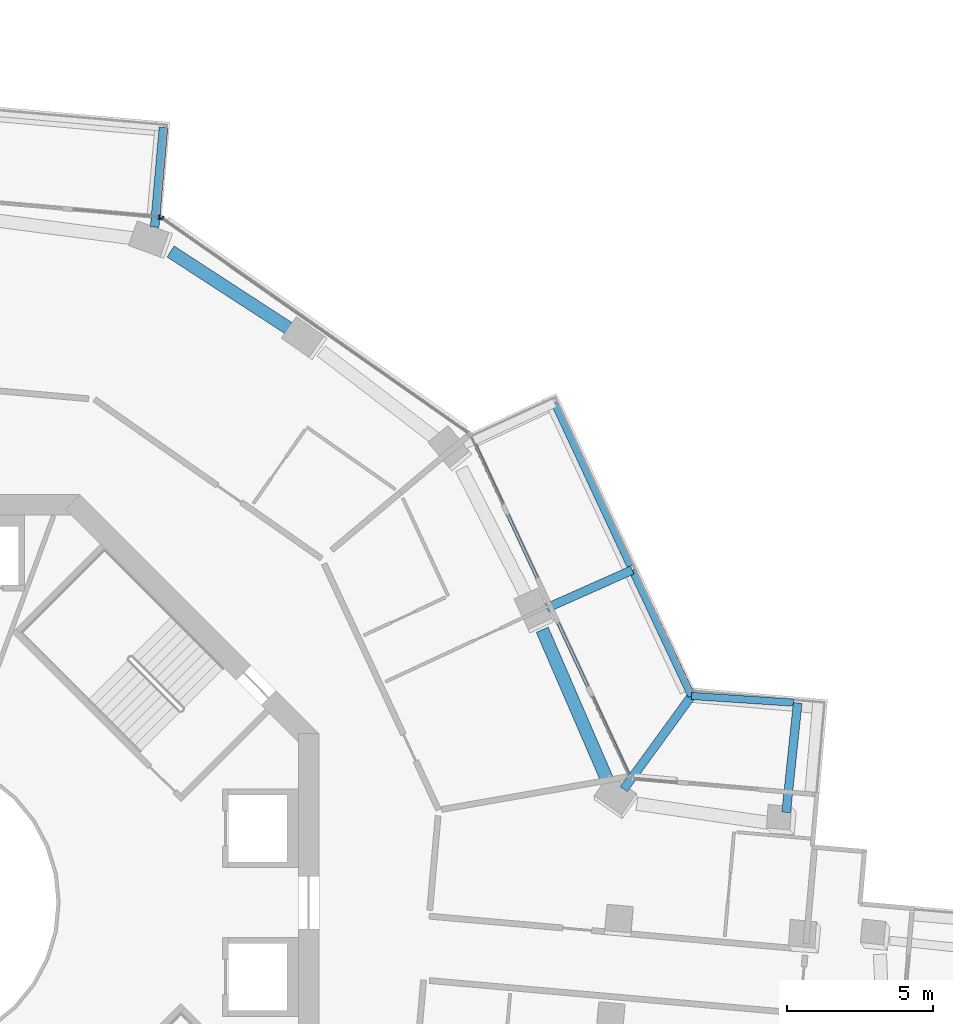
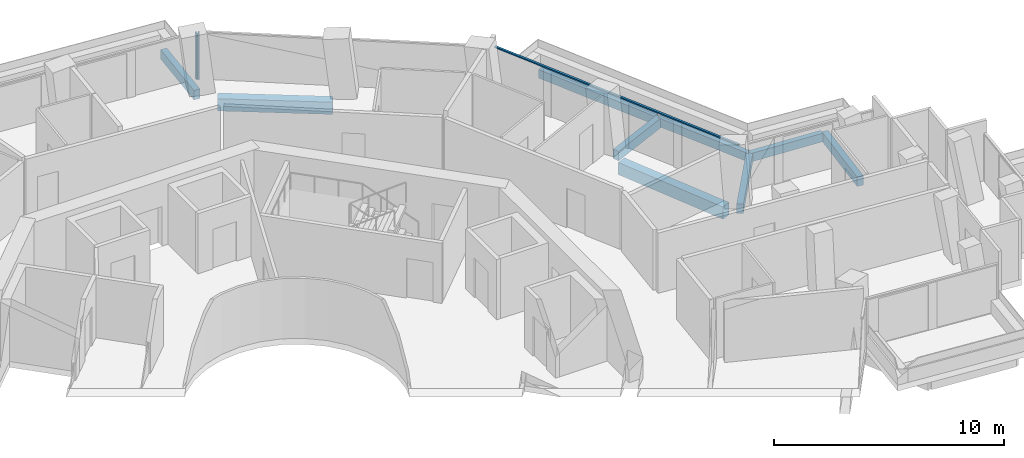
# One storey, part 9 of 23: 9 beams, 3 members, 3 elements without a shape of their own.
"""IFC4 building model written with IfcOpenShell, lengths in metres."""

from ifc_helpers import new_model, si_unit, direction, frame, origin, origin_2d, place, context, subcontext, project, spatial, rectangle, extrude, material, layer, layer_set, material_profile, profile_set, type_object, element, aggregate, save


model = new_model("IFC4")

# Units and contexts
model_context = context("Model", 3, precision=1e-05, world=origin(), true_north=direction((0.0, 1.0)))
body_context = subcontext(model_context, "Body", "Model", "MODEL_VIEW")
ifc_project = project(units=[si_unit("LENGTHUNIT", "METRE"), si_unit("AREAUNIT", "SQUARE_METRE"), si_unit("VOLUMEUNIT", "CUBIC_METRE"), si_unit("PLANEANGLEUNIT", "RADIAN"), si_unit("MASSUNIT", "GRAM", prefix="KILO")], contexts=[model_context])

# Site, building, storey
site_placement = place(None, origin())
site = spatial("IfcSite", under=ifc_project, at=site_placement, CompositionType="ELEMENT")
building_placement = place(site_placement, origin())
building = spatial("IfcBuilding", under=site, at=building_placement, Name="Verdalira Terraces Hotel", CompositionType="ELEMENT")
storey_placement = place(building_placement, frame((0.0, 0.0, 136.5)))
storey = spatial("IfcBuildingStorey", under=building, at=storey_placement, Name="L32", CompositionType="ELEMENT", Elevation=136.5)

# Beams
ifc_material_1 = material(Name="Concrete C40", Category="concrete")
ifc_material_profile_1 = material_profile(ifc_material_1, rectangle(XDim=0.300049, YDim=0.5, at=origin_2d()), Name="RC 300X500")
ifc_profile_set_1 = profile_set([ifc_material_profile_1], Name="Concrete C40")
beam_type_1 = type_object("IfcBeamType", Name="Balcony cantilever beam RC 300X500 C40", PredefinedType="BEAM", material=ifc_profile_set_1)
beam_1_placement = place(storey_placement, frame((30.034424, 3.098633, -0.560059), z_axis=(0.104503005, 0.994524571, 0.0), x_axis=(-0.994524571, 0.104503005, 0.0)))
element("IfcBeam", 1, at=beam_1_placement, inside=storey, type_object=beam_type_1, Name="Balcony cantilever beam R38-1", PredefinedType="BEAM", context=body_context, shape_type="SweptSolid", body=[
    extrude(rectangle(XDim=0.300049, YDim=0.5, at=origin_2d()), origin(), (0.0, 0.0, 1.0), 3.775391),
])
beam_2_placement = place(storey_placement, frame((24.461426, 3.896484, -0.560059), z_axis=(0.587767385, 0.809029976, 0.0), x_axis=(-0.809029976, 0.587767385, 0.0)))
element("IfcBeam", 2, at=beam_2_placement, inside=storey, type_object=beam_type_1, Name="Balcony cantilever beam R38-2", PredefinedType="BEAM", context=body_context, shape_type="SweptSolid", body=[
    extrude(rectangle(XDim=0.300049, YDim=0.5, at=origin_2d()), origin(), (0.0, 0.0, 1.0), 3.950195),
])
beam_3_placement = place(storey_placement, frame((21.829102, 10.113525, -0.560059), z_axis=(0.91355974, 0.406704562, 0.0), x_axis=(-0.406704562, 0.91355974, 0.0)))
element("IfcBeam", 3, at=beam_3_placement, inside=storey, type_object=beam_type_1, Name="Balcony cantilever beam R38-3", PredefinedType="BEAM", context=body_context, shape_type="SweptSolid", body=[
    extrude(rectangle(XDim=0.300049, YDim=0.5, at=origin_2d()), origin(), (0.0, 0.0, 1.0), 3.200684),
])
beam_4_placement = place(storey_placement, frame((8.36499, 23.181396, -0.560059), z_axis=(0.08786059, 0.996132781, 0.0), x_axis=(-0.996132781, 0.08786059, 0.0)))
element("IfcBeam", 4, at=beam_4_placement, inside=storey, type_object=beam_type_1, Name="Balcony cantilever beam R41-2", PredefinedType="BEAM", context=body_context, shape_type="SweptSolid", body=[
    extrude(rectangle(XDim=0.300049, YDim=0.5, at=origin_2d()), origin(), (0.0, 0.0, 1.0), 3.431641),
])
ifc_material_2 = material(Name="Concrete C40", Category="concrete")
ifc_material_profile_2 = material_profile(ifc_material_2, rectangle(XDim=0.25, YDim=0.449951, at=origin_2d()), Name="RC 250X450")
ifc_profile_set_2 = profile_set([ifc_material_profile_2], Name="Concrete C40")
beam_type_2 = type_object("IfcBeamType", Name="Balcony edge beam RC 250X450 C40", PredefinedType="BEAM", material=ifc_profile_set_2)
beam_5_placement = place(storey_placement, frame((30.279297, 6.863037, -0.534912), z_axis=(-0.997857024, 0.065432105, 0.0), x_axis=(-0.065432105, -0.997857024, 0.0)))
element("IfcBeam", 5, at=beam_5_placement, inside=storey, type_object=beam_type_2, Name="Balcony edge beam R38-1", PredefinedType="BEAM", context=body_context, shape_type="SweptSolid", body=[
    extrude(rectangle(XDim=0.25, YDim=0.449951, at=origin_2d()), origin(), (0.0, 0.0, 1.0), 3.503662),
])
beam_6_placement = place(storey_placement, frame((26.783203, 7.092285, -0.534912), z_axis=(-0.425055883, 0.90516711, 0.0), x_axis=(-0.90516711, -0.425055883, 0.0)))
element("IfcBeam", 6, at=beam_6_placement, inside=storey, type_object=beam_type_2, Name="Balcony edge beam R38-2", PredefinedType="BEAM", context=body_context, shape_type="SweptSolid", body=[
    extrude(rectangle(XDim=0.25, YDim=0.449951, at=origin_2d()), origin(), (0.0, 0.0, 1.0), 4.775879),
])
beam_7_placement = place(storey_placement, frame((24.689697, 11.551514, -0.534912), z_axis=(-0.421978016, 0.906606063, 0.0), x_axis=(-0.906606063, -0.421978016, 0.0)))
element("IfcBeam", 7, at=beam_7_placement, inside=storey, type_object=beam_type_2, Name="Balcony edge beam R38-3", PredefinedType="BEAM", context=body_context, shape_type="SweptSolid", body=[
    extrude(rectangle(XDim=0.25, YDim=0.449951, at=origin_2d()), origin(), (0.0, 0.0, 1.0), 6.172607),
])

# Curtain wall, member
ifc_material_3 = material(Name="Clear glass", Category="glass")
ifc_layer = layer(ifc_material_3, 0.14990234375)
ifc_layer_set = layer_set([ifc_layer], Name="CW1 curtain wall")
curtain_wall_type = type_object("IfcCurtainWallType", Name="CW1 curtain wall", PredefinedType="NOTDEFINED", material=ifc_layer_set)
curtain_wall_1_placement = place(storey_placement, origin())
curtain_wall_1 = element("IfcCurtainWall", 8, at=curtain_wall_1_placement, inside=storey, type_object=curtain_wall_type, Name="CW1 curtain wall L32 edge 40", PredefinedType="NOTDEFINED")
ifc_material_4 = material(Name="Terracotta frame", Category="masonry")
ifc_material_profile_3 = material_profile(ifc_material_4, rectangle(XDim=0.060059, YDim=0.149902, at=origin_2d()), Name="MU 60x150")
ifc_profile_set_3 = profile_set([ifc_material_profile_3], Name="Terracotta frame")
member_type_1 = type_object("IfcMemberType", Name="CW1 mullion 60x150", PredefinedType="MULLION", material=ifc_profile_set_3)
member_1_placement = place(storey_placement, frame((8.620361, 23.491699, 0.0), z_axis=(0.0, 0.0, 1.0), x_axis=(-0.818751413, 0.574148173, 0.0)))
member_1 = element("IfcMember", 9, at=member_1_placement, type_object=member_type_1, Name="CW1 mullion", PredefinedType="MULLION", context=body_context, shape_type="SweptSolid", body=[
    extrude(rectangle(XDim=0.060059, YDim=0.149902, at=origin_2d()), origin(), (0.0, 0.0, 1.0), 2.475098),
])
aggregate(curtain_wall_1, [member_1])

curtain_wall_2_placement = place(storey_placement, origin())
curtain_wall_2 = element("IfcCurtainWall", 10, at=curtain_wall_2_placement, inside=storey, type_object=curtain_wall_type, Name="CW1 curtain wall L32 edge 41", PredefinedType="NOTDEFINED")
member_2_placement = place(storey_placement, frame((8.529541, 23.524902, 0.0), z_axis=(0.0, 0.0, 1.0), x_axis=(-0.996133609, 0.087851197, 0.0)))
member_2 = element("IfcMember", 11, at=member_2_placement, type_object=member_type_1, Name="CW1 mullion", PredefinedType="MULLION", context=body_context, shape_type="SweptSolid", body=[
    extrude(rectangle(XDim=0.060059, YDim=0.149902, at=origin_2d()), origin(), (0.0, 0.0, 1.0), 2.475098),
])
aggregate(curtain_wall_2, [member_2])

curtain_wall_3_placement = place(storey_placement, origin())
curtain_wall_3 = element("IfcCurtainWall", 12, at=curtain_wall_3_placement, inside=storey, type_object=curtain_wall_type, Name="CW1 curtain wall L32 edge 39", PredefinedType="NOTDEFINED")
ifc_material_5 = material(Name="Terracotta frame", Category="masonry")
ifc_material_profile_4 = material_profile(ifc_material_5, rectangle(XDim=0.110107, YDim=0.064941, at=origin_2d()), Name="TR 65x110")
ifc_profile_set_4 = profile_set([ifc_material_profile_4], Name="Terracotta frame")
member_type_2 = type_object("IfcMemberType", Name="CW1 transom 65x110", PredefinedType="USERDEFINED", material=ifc_profile_set_4)
member_3_placement = place(storey_placement, frame((24.66748, 4.312012, 2.507568), z_axis=(-0.421975656, 0.906607162, 0.0), x_axis=(-0.906607162, -0.421975656, 0.0)))
member_3 = element("IfcMember", 13, at=member_3_placement, type_object=member_type_2, Name="CW1 transom", ObjectType="TRANSOM", PredefinedType="USERDEFINED", context=body_context, shape_type="SweptSolid", body=[
    extrude(rectangle(XDim=0.110107, YDim=0.064941, at=origin_2d()), origin(), (0.0, 0.0, 1.0), 12.959961),
])
aggregate(curtain_wall_3, [member_3])

# Beams
ifc_material_6 = material(Name="Concrete C50", Category="concrete")
ifc_material_profile_5 = material_profile(ifc_material_6, rectangle(XDim=0.449951, YDim=0.649902, at=origin_2d()), Name="RC 450X650")
ifc_profile_set_5 = profile_set([ifc_material_profile_5], Name="Concrete C50")
beam_type_3 = type_object("IfcBeamType", Name="Spandrel beam RC 450X650 C50", PredefinedType="SPANDREL", material=ifc_profile_set_5)
beam_8_placement = place(storey_placement, frame((23.914795, 4.159424, -0.63501), z_axis=(-0.396971918, 0.917830756, 0.0), x_axis=(-0.917830756, -0.396971918, 0.0)))
element("IfcBeam", 14, at=beam_8_placement, inside=storey, type_object=beam_type_3, Name="Spandrel beam B18", PredefinedType="SPANDREL", context=body_context, shape_type="SweptSolid", body=[
    extrude(rectangle(XDim=0.449951, YDim=0.649902, at=origin_2d()), origin(), (0.0, 0.0, 1.0), 5.671631),
])
beam_9_placement = place(storey_placement, frame((13.112061, 19.613281, -0.63501), z_axis=(-0.838504817, 0.544894184, 0.0), x_axis=(-0.544894184, -0.838504817, 0.0)))
element("IfcBeam", 15, at=beam_9_placement, inside=storey, type_object=beam_type_3, Name="Spandrel beam B21", PredefinedType="SPANDREL", context=body_context, shape_type="SweptSolid", body=[
    extrude(rectangle(XDim=0.449951, YDim=0.649902, at=origin_2d()), origin(), (0.0, 0.0, 1.0), 5.012451),
])

save(model, "model.ifc")
